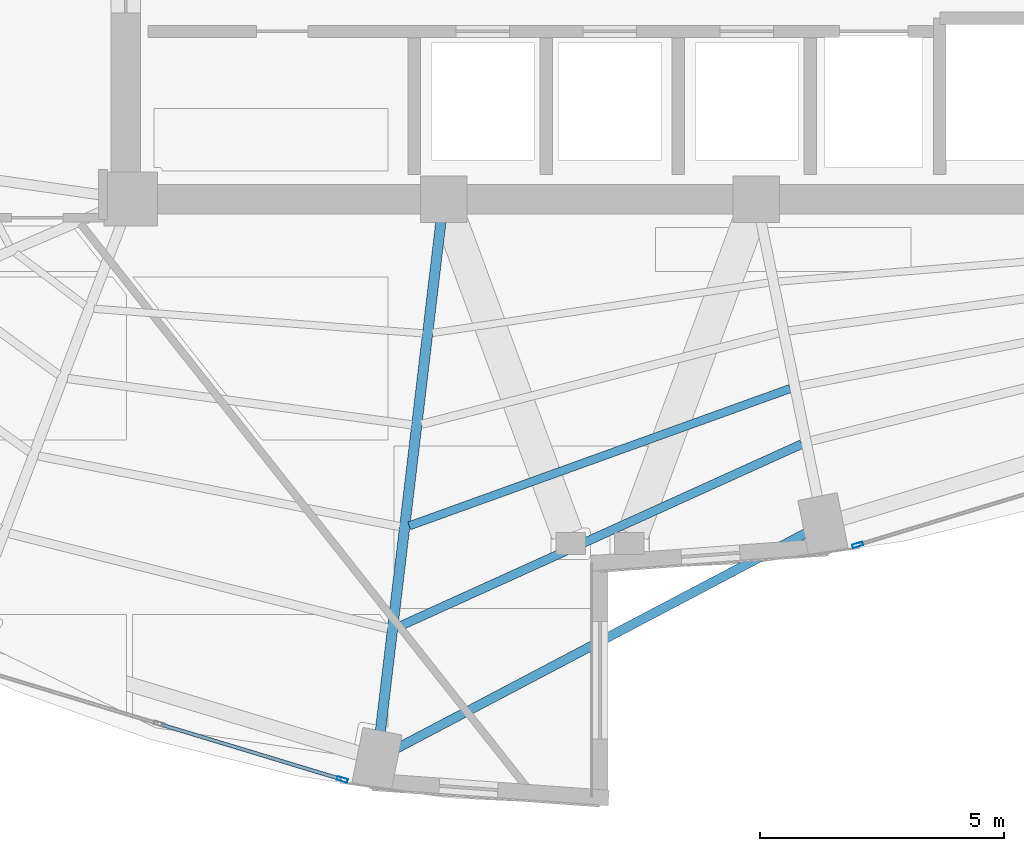
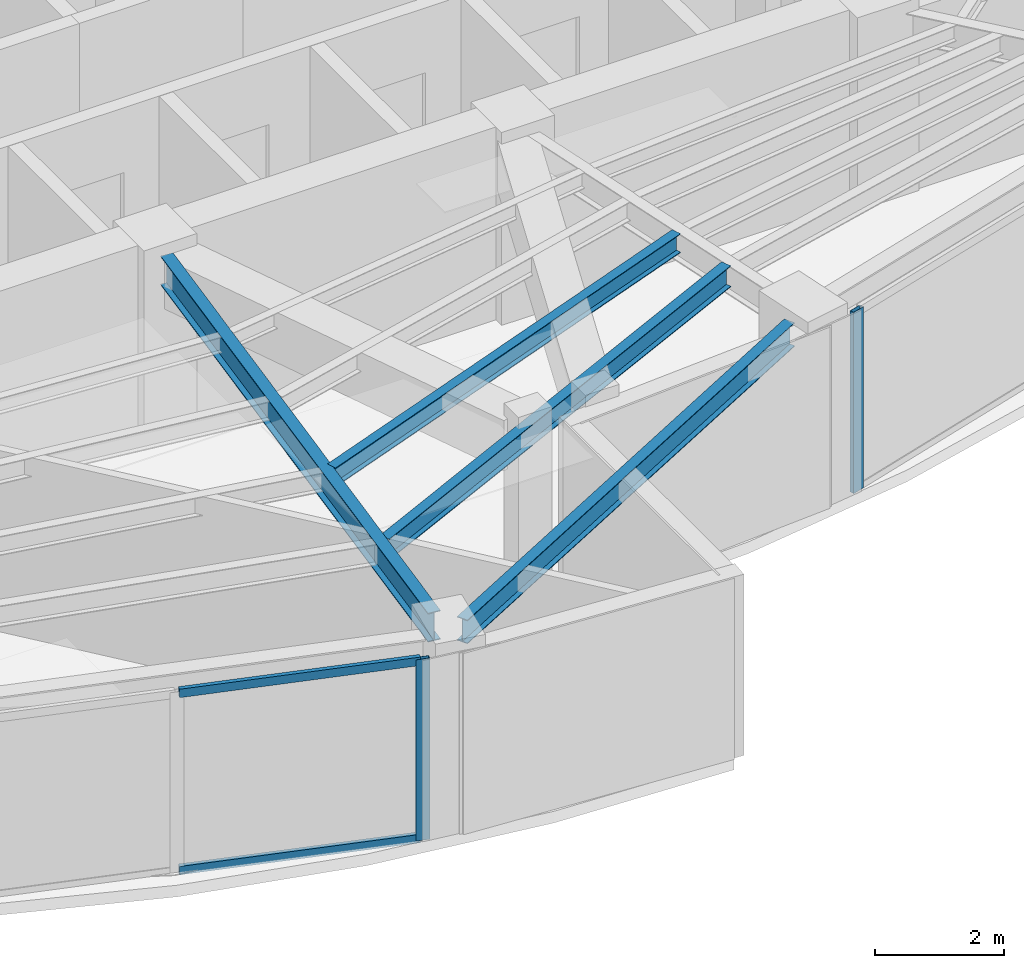
# One storey, part 4 of 20: 4 beams, 4 members, 2 elements without a shape of their own.
"""IFC4 building model written with IfcOpenShell, lengths in metres."""

from ifc_helpers import new_model, si_unit, direction, frame, origin, origin_2d, place, context, subcontext, project, spatial, hollow_rectangle, i_section, extrude, material, layer, layer_set, material_profile, profile_set, type_object, element, aggregate, save


model = new_model("IFC4")

# Units and contexts
model_context = context("Model", 3, precision=1e-05, world=origin(), true_north=direction((0.0, 1.0)))
body_context = subcontext(model_context, "Body", "Model", "MODEL_VIEW")
ifc_project = project(units=[si_unit("LENGTHUNIT", "METRE"), si_unit("AREAUNIT", "SQUARE_METRE"), si_unit("VOLUMEUNIT", "CUBIC_METRE"), si_unit("PLANEANGLEUNIT", "RADIAN"), si_unit("MASSUNIT", "GRAM", prefix="KILO")], contexts=[model_context])

# Site, building, storey
site_placement = place(None, origin())
site = spatial("IfcSite", under=ifc_project, at=site_placement, CompositionType="ELEMENT")
building_placement = place(site_placement, origin())
building = spatial("IfcBuilding", under=site, at=building_placement, Name="Lazwardi Medical Tower", CompositionType="ELEMENT")
storey_placement = place(building_placement, frame((0.0, 0.0, 149.23193359375)))
storey = spatial("IfcBuildingStorey", under=building, at=storey_placement, Name="L38", CompositionType="ELEMENT", Elevation=149.23193359375)

# Beams
ifc_material_1 = material(Name="Steel S355", Category="steel")
ifc_material_profile_1 = material_profile(ifc_material_1, i_section(OverallWidth=0.2099609375, OverallDepth=0.550048828125, WebThickness=0.010986328125, FlangeThickness=0.01708984375, at=origin_2d()), Name="IPE 550")
ifc_profile_set_1 = profile_set([ifc_material_profile_1], Name="Steel S355")
beam_type_1 = type_object("IfcBeamType", Name="BM-RG-W2", PredefinedType="BEAM", material=ifc_profile_set_1)
beam_1_placement = place(storey_placement, frame((31.505859375, 9.50732421875, 3.153076171875), z_axis=(0.117968004211, 0.993017396616, 0.0), x_axis=(-0.993017396616, 0.117968004211, 0.0)))
element("IfcBeam", 1, at=beam_1_placement, inside=storey, type_object=beam_type_1, Name="Radial girder RG-03 R16 L38", PredefinedType="BEAM", context=body_context, shape_type="SweptSolid", body=[
    extrude(i_section(OverallWidth=0.2099609375, OverallDepth=0.550048828125, WebThickness=0.010986328125, FlangeThickness=0.01708984375, at=origin_2d()), origin(), (0.0, 0.0, 1.0), 10.50927734375),
])
ifc_material_profile_2 = material_profile(ifc_material_1, i_section(OverallWidth=0.179931640625, OverallDepth=0.39990234375, WebThickness=0.008544921875, FlangeThickness=0.013427734375, at=origin_2d()), Name="IPE 400")
ifc_profile_set_2 = profile_set([ifc_material_profile_2], Name="Steel S355")
beam_type_2 = type_object("IfcBeamType", Name="BM-SJ-01", PredefinedType="JOIST", material=ifc_profile_set_2)
beam_2_placement = place(storey_placement, frame((31.844970703125, 11.6357421875, 3.22802734375), z_axis=(0.910834000674, 0.412772846995, 0.0), x_axis=(-0.412772846995, 0.910834000674, 0.0)))
element("IfcBeam", 2, at=beam_2_placement, inside=storey, type_object=beam_type_2, Name="Secondary joist SJ-01 R1 B16 L38", PredefinedType="JOIST", context=body_context, shape_type="SweptSolid", body=[
    extrude(i_section(OverallWidth=0.179931640625, OverallDepth=0.39990234375, WebThickness=0.008544921875, FlangeThickness=0.013427734375, at=origin_2d()), origin(), (0.0, 0.0, 1.0), 9.09130859375),
])
ifc_material_profile_3 = material_profile(ifc_material_1, i_section(OverallWidth=0.169921875, OverallDepth=0.360107421875, WebThickness=0.008056640625, FlangeThickness=0.0126953125, at=origin_2d()), Name="IPE 360")
ifc_profile_set_3 = profile_set([ifc_material_profile_3], Name="Steel S355")
beam_type_3 = type_object("IfcBeamType", Name="BM-SJ-02", PredefinedType="JOIST", material=ifc_profile_set_3)
beam_3_placement = place(storey_placement, frame((32.095947265625, 13.715576171875, 3.248046875), z_axis=(0.940747993319, 0.339106492221, 0.0), x_axis=(-0.339106492221, 0.940747993319, 0.0)))
element("IfcBeam", 3, at=beam_3_placement, inside=storey, type_object=beam_type_3, Name="Secondary joist SJ-02 R2 B16 L38", PredefinedType="JOIST", context=body_context, shape_type="SweptSolid", body=[
    extrude(i_section(OverallWidth=0.169921875, OverallDepth=0.360107421875, WebThickness=0.008056640625, FlangeThickness=0.0126953125, at=origin_2d()), origin(), (0.0, 0.0, 1.0), 8.28662109375),
])
ifc_material_profile_4 = material_profile(ifc_material_1, i_section(OverallWidth=0.18994140625, OverallDepth=0.449951171875, WebThickness=0.009521484375, FlangeThickness=0.0146484375, at=origin_2d()), Name="IPE 450")
ifc_profile_set_4 = profile_set([ifc_material_profile_4], Name="Steel S355")
beam_type_4 = type_object("IfcBeamType", Name="BM-SP-01", PredefinedType="SPANDREL", material=ifc_profile_set_4)
beam_4_placement = place(storey_placement, frame((31.793701171875, 9.137451171875, 3.203125), z_axis=(0.884926578414, 0.465730556026, 0.0), x_axis=(-0.465730556026, 0.884926578414, 0.0)))
element("IfcBeam", 4, at=beam_4_placement, inside=storey, type_object=beam_type_4, Name="Spandrel beam SP-01 B16 L38", PredefinedType="SPANDREL", context=body_context, shape_type="SweptSolid", body=[
    extrude(i_section(OverallWidth=0.18994140625, OverallDepth=0.449951171875, WebThickness=0.009521484375, FlangeThickness=0.0146484375, at=origin_2d()), origin(), (0.0, 0.0, 1.0), 9.506591796875),
])

# Curtain wall, member
ifc_material_2 = material(Name="Anodised bronze aluminium and solar control glazing", Category="aluminium")
ifc_layer = layer(ifc_material_2, 0.195068359375)
ifc_layer_set = layer_set([ifc_layer], Name="Anodised bronze aluminium and solar control glazing")
curtain_wall_type = type_object("IfcCurtainWallType", Name="CW-SYS-03", PredefinedType="NOTDEFINED", material=ifc_layer_set)
curtain_wall_1_placement = place(storey_placement, origin())
curtain_wall_1 = element("IfcCurtainWall", 5, at=curtain_wall_1_placement, inside=storey, type_object=curtain_wall_type, Name="L38 Unitised bronze curtain wall CW-03", PredefinedType="NOTDEFINED")
ifc_material_3 = material(Name="Anodised bronze aluminium", Category="aluminium")
ifc_material_profile_5 = material_profile(ifc_material_3, hollow_rectangle(XDim=0.074951171875, YDim=0.219970703125, WallThickness=0.00390625, at=origin_2d()), Name="ALU-MULLION 220x75x4")
ifc_profile_set_5 = profile_set([ifc_material_profile_5], Name="Anodised bronze aluminium")
member_type_1 = type_object("IfcMemberType", Name="CW-MUL-01", PredefinedType="MULLION", material=ifc_profile_set_5)
member_1_placement = place(storey_placement, frame((41.27197265625, 13.325927734375, 0.0), z_axis=(0.0, 0.0, 1.0), x_axis=(-0.290280785441, 0.956941516292, 0.0)))
member_1 = element("IfcMember", 6, at=member_1_placement, type_object=member_type_1, Name="CW-03 mullion 1", PredefinedType="MULLION", context=body_context, shape_type="SweptSolid", body=[
    extrude(hollow_rectangle(XDim=0.074951171875, YDim=0.219970703125, WallThickness=0.00390625, at=origin_2d()), origin(), (0.0, 0.0, 1.0), 3.427978515625),
])
aggregate(curtain_wall_1, [member_1])

# Curtain wall, members
curtain_wall_2_placement = place(storey_placement, origin())
curtain_wall_2 = element("IfcCurtainWall", 7, at=curtain_wall_2_placement, inside=storey, type_object=curtain_wall_type, Name="L38 Unitised bronze curtain wall CW-03", PredefinedType="NOTDEFINED")
member_2_placement = place(storey_placement, frame((30.72802734375, 8.52587890625, 0.0), z_axis=(0.0, 0.0, 1.0), x_axis=(0.290280785441, 0.956941516292, 0.0)))
member_2 = element("IfcMember", 8, at=member_2_placement, type_object=member_type_1, Name="CW-03 mullion 3", PredefinedType="MULLION", context=body_context, shape_type="SweptSolid", body=[
    extrude(hollow_rectangle(XDim=0.074951171875, YDim=0.219970703125, WallThickness=0.00390625, at=origin_2d()), origin(), (0.0, 0.0, 1.0), 3.427978515625),
])
ifc_material_profile_6 = material_profile(ifc_material_3, hollow_rectangle(XDim=0.074951171875, YDim=0.159912109375, WallThickness=0.00390625, at=origin_2d()), Name="ALU-TRANSOM 160x75x4")
ifc_profile_set_6 = profile_set([ifc_material_profile_6], Name="Anodised bronze aluminium")
member_type_2 = type_object("IfcMemberType", Name="CW-TRN-01", PredefinedType="USERDEFINED", material=ifc_profile_set_6)
member_3_placement = place(storey_placement, frame((27.020751953125, 9.650390625, 0.03759765625), z_axis=(0.95695319357, -0.290242287264, 0.0), x_axis=(0.290242287264, 0.95695319357, 0.0)))
member_3 = element("IfcMember", 9, at=member_3_placement, type_object=member_type_2, Name="CW-03 transom 2.1", ObjectType="TRANSOM", PredefinedType="USERDEFINED", context=body_context, shape_type="SweptSolid", body=[
    extrude(hollow_rectangle(XDim=0.074951171875, YDim=0.159912109375, WallThickness=0.00390625, at=origin_2d()), origin(), (0.0, 0.0, 1.0), 3.83642578125),
])
member_4_placement = place(storey_placement, frame((27.020751953125, 9.650390625, 3.390625), z_axis=(0.95695319357, -0.290242287264, 0.0), x_axis=(0.290242287264, 0.95695319357, 0.0)))
member_4 = element("IfcMember", 10, at=member_4_placement, type_object=member_type_2, Name="CW-03 transom 2.2", ObjectType="TRANSOM", PredefinedType="USERDEFINED", context=body_context, shape_type="SweptSolid", body=[
    extrude(hollow_rectangle(XDim=0.074951171875, YDim=0.159912109375, WallThickness=0.00390625, at=origin_2d()), origin(), (0.0, 0.0, 1.0), 3.83642578125),
])
aggregate(curtain_wall_2, [member_2, member_3, member_4])

save(model, "model.ifc")
